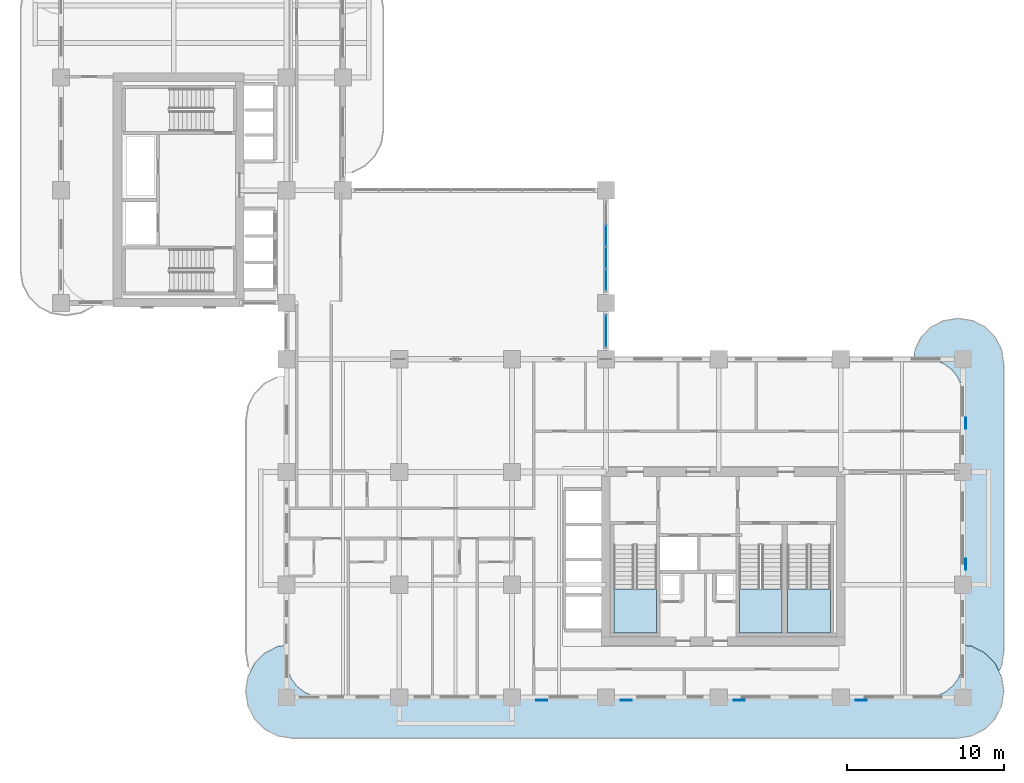
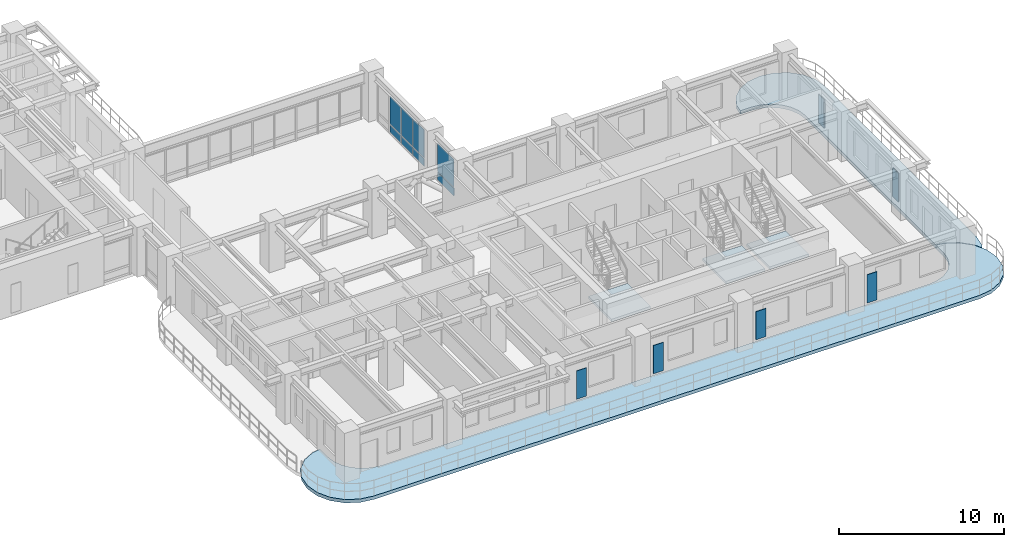
# One storey, part 9 of 21: 14 plates, 5 slabs, 5 elements without a shape of their own.
"""IFC4 building model written with IfcOpenShell, lengths in metres."""

from ifc_helpers import new_model, si_unit, derived_unit, direction, frame, origin, origin_2d, place, context, subcontext, project, spatial, polyline, rectangle, outline, extrude, source, transform, mapped, material, layer, layer_set, type_object, type_shapes, element, aggregate, save


model = new_model("IFC4")

# Units and contexts
model_context = context("Model", 3, precision=1e-05, world=origin(), true_north=direction((0.0, 1.0)))
body_context = subcontext(model_context, "Body", "Model", "MODEL_VIEW")
ifc_project = project(units=[si_unit("LENGTHUNIT", "METRE"), si_unit("AREAUNIT", "SQUARE_METRE"), si_unit("VOLUMEUNIT", "CUBIC_METRE"), si_unit("PLANEANGLEUNIT", "RADIAN"), si_unit("MASSUNIT", "GRAM", prefix="KILO"), si_unit("THERMODYNAMICTEMPERATUREUNIT", "KELVIN"), si_unit("POWERUNIT", "WATT"), derived_unit("THERMALTRANSMITTANCEUNIT", [(si_unit("POWERUNIT", "WATT"), 1), (si_unit("AREAUNIT", "SQUARE_METRE"), -1), (si_unit("THERMODYNAMICTEMPERATUREUNIT", "KELVIN"), -1)])], contexts=[model_context])

# Site, building, storey
site_placement = place(None, origin())
site = spatial("IfcSite", under=ifc_project, at=site_placement, CompositionType="ELEMENT")
building_placement = place(site_placement, origin())
building = spatial("IfcBuilding", under=site, at=building_placement, Name="Zahravan Archway Hotel and Residences", CompositionType="ELEMENT")
storey_placement = place(building_placement, frame((0.0, 0.0, 69.39990234375)))
storey = spatial("IfcBuildingStorey", under=building, at=storey_placement, Name="L16", CompositionType="ELEMENT", Elevation=69.39990234375)

# Slabs
ifc_material_1 = material(Name="Concrete C45/55", Category="concrete")
ifc_layer_1 = layer(ifc_material_1, 0.25, Name="Concrete C45/55", Category="concrete")
ifc_layer_set_1 = layer_set([ifc_layer_1], Name="Concrete C45/55")
slab_type_1 = type_object("IfcSlabType", Name="SLB-BALC-250", PredefinedType="FLOOR", material=ifc_layer_set_1)
slab_1_placement = place(storey_placement, frame((0.0, 0.0, -0.25)))
element("IfcSlab", 1, at=slab_1_placement, inside=storey, type_object=slab_type_1, Name="L16 Wing A South Rounded Balcony Band", PredefinedType="FLOOR", context=body_context, shape_type="SweptSolid", body=[
    extrude(outline(polyline([(58.16162109375, 3.255615234375), (58.98388671875, 2.836669921875), (59.63671875, 2.18408203125), (60.0556640625, 1.361572265625), (60.199951171875, 0.449951171875), (60.199951171875, 0.35009765625), (60.0556640625, -0.5615234375), (59.63671875, -1.384033203125), (58.98388671875, -2.03662109375), (58.16162109375, -2.45556640625), (57.25, -2.60009765625), (14.75, -2.60009765625), (13.83837890625, -2.45556640625), (13.01611328125, -2.03662109375), (12.36328125, -1.384033203125), (11.9443359375, -0.5615234375), (11.800048828125, 0.35009765625), (11.800048828125, 0.449951171875), (11.9443359375, 1.361572265625), (12.36328125, 2.18408203125), (13.01611328125, 2.836669921875), (13.83837890625, 3.255615234375), (14.3798828125, 3.34130859375), (14.3798828125, 2.39990234375), (14.380126953125, 2.3974609375), (14.4619140625, 1.776123046875), (14.46240234375, 1.7744140625), (14.462646484375, 1.772705078125), (14.46337890625, 1.77099609375), (14.702880859375, 1.1923828125), (14.703857421875, 1.19091796875), (14.70458984375, 1.189208984375), (14.70556640625, 1.187744140625), (15.0869140625, 0.690673828125), (15.088134765625, 0.689453125), (15.08935546875, 0.688232421875), (15.0908203125, 0.68701171875), (15.587890625, 0.3056640625), (15.58935546875, 0.3046875), (15.5908203125, 0.3037109375), (15.59228515625, 0.302978515625), (16.171142578125, 0.063232421875), (16.1728515625, 0.062744140625), (16.174560546875, 0.062255859375), (16.17626953125, 0.06201171875), (16.79736328125, -0.019775390625), (16.800048828125, -0.02001953125), (55.199951171875, -0.02001953125), (55.20263671875, -0.019775390625), (55.82373046875, 0.06201171875), (55.825439453125, 0.062255859375), (55.8271484375, 0.062744140625), (55.828857421875, 0.063232421875), (56.40771484375, 0.302978515625), (56.4091796875, 0.3037109375), (56.41064453125, 0.3046875), (56.412109375, 0.3056640625), (56.9091796875, 0.68701171875), (56.91064453125, 0.688232421875), (56.911865234375, 0.689453125), (56.9130859375, 0.690673828125), (57.29443359375, 1.187744140625), (57.29541015625, 1.189208984375), (57.296142578125, 1.19091796875), (57.297119140625, 1.1923828125), (57.53662109375, 1.77099609375), (57.537353515625, 1.772705078125), (57.53759765625, 1.7744140625), (57.5380859375, 1.776123046875), (57.619873046875, 2.3974609375), (57.6201171875, 2.39990234375), (57.6201171875, 3.34130859375), (58.16162109375, 3.255615234375)])), origin(), (0.0, 0.0, 1.0), 0.25),
])
slab_2_placement = place(storey_placement, frame((0.0, 0.0, -0.25)))
element("IfcSlab", 2, at=slab_2_placement, inside=storey, type_object=slab_type_1, Name="L16 Wing A East Rounded Balcony Band", PredefinedType="FLOOR", context=body_context, shape_type="SweptSolid", body=[
    extrude(outline(polyline([(54.53955078125, 22.230712890625), (54.9443359375, 23.025146484375), (55.57470703125, 23.65576171875), (56.369384765625, 24.060546875), (57.25, 24.199951171875), (57.35009765625, 24.199951171875), (58.230712890625, 24.060546875), (59.025146484375, 23.65576171875), (59.65576171875, 23.025146484375), (60.060546875, 22.230712890625), (60.199951171875, 21.35009765625), (60.199951171875, 2.85009765625), (60.060546875, 1.96923828125), (59.91455078125, 1.6826171875), (59.654296875, 2.193115234375), (59.6533203125, 2.19482421875), (59.652099609375, 2.196533203125), (59.650634765625, 2.197998046875), (58.998046875, 2.8505859375), (58.99658203125, 2.85205078125), (58.994873046875, 2.853515625), (58.9931640625, 2.8544921875), (58.170654296875, 3.2734375), (58.168701171875, 3.2744140625), (58.166748046875, 3.27490234375), (58.164794921875, 3.275390625), (57.623046875, 3.361083984375), (57.62109375, 3.361328125), (57.6201171875, 3.361328125), (57.6201171875, 19.199951171875), (57.619873046875, 19.20263671875), (57.5380859375, 19.82373046875), (57.53759765625, 19.825439453125), (57.537353515625, 19.8271484375), (57.53662109375, 19.828857421875), (57.297119140625, 20.40771484375), (57.296142578125, 20.4091796875), (57.29541015625, 20.41064453125), (57.29443359375, 20.412109375), (56.9130859375, 20.9091796875), (56.911865234375, 20.91064453125), (56.91064453125, 20.911865234375), (56.9091796875, 20.9130859375), (56.412109375, 21.29443359375), (56.41064453125, 21.29541015625), (56.4091796875, 21.296142578125), (56.40771484375, 21.297119140625), (55.828857421875, 21.53662109375), (55.8271484375, 21.537353515625), (55.825439453125, 21.53759765625), (55.82373046875, 21.5380859375), (55.20263671875, 21.619873046875), (55.199951171875, 21.6201171875), (54.44287109375, 21.6201171875), (54.53955078125, 22.230712890625)])), origin(), (0.0, 0.0, 1.0), 0.25),
])

# Stair, slab
ifc_material_2 = material(Name="Concrete C50/60", Category="concrete")
stair_type = type_object("IfcStairType", Name="STR-CORE-1300", PredefinedType="HALF_TURN_STAIR", material=ifc_material_2)
stair_1_placement = place(storey_placement, origin())
stair_1 = element("IfcStair", 3, at=stair_1_placement, inside=storey, type_object=stair_type, Name="L16 Core A Exit Stair 1", PredefinedType="HALF_TURN_STAIR")
ifc_layer_2 = layer(ifc_material_2, 0.199951171875, Name="Concrete C50/60", Category="concrete")
ifc_layer_set_2 = layer_set([ifc_layer_2], Name="Concrete C50/60")
slab_type_2 = type_object("IfcSlabType", Name="SLB-LND-200", PredefinedType="LANDING", material=ifc_layer_set_2)
slab_3_placement = place(storey_placement, frame((0.0, 0.0, 1.650146484375)))
slab_3 = element("IfcSlab", 4, at=slab_3_placement, type_object=slab_type_2, Name="ST-A1 landing 1", PredefinedType="LANDING", context=body_context, shape_type="SweptSolid", body=[
    extrude(outline(polyline([(35.300048828125, 6.929931640625), (35.300048828125, 4.10009765625), (38.0400390625, 4.10009765625), (38.0400390625, 6.929931640625), (35.300048828125, 6.929931640625)])), origin(), (0.0, 0.0, 1.0), 0.199951171875),
])
aggregate(stair_1, [slab_3])

stair_2_placement = place(storey_placement, origin())
stair_2 = element("IfcStair", 5, at=stair_2_placement, inside=storey, type_object=stair_type, Name="L16 Core A Exit Stair 2", PredefinedType="HALF_TURN_STAIR")
slab_4_placement = place(storey_placement, frame((0.0, 0.0, 1.650146484375)))
slab_4 = element("IfcSlab", 6, at=slab_4_placement, type_object=slab_type_2, Name="ST-A2 landing 1", PredefinedType="LANDING", context=body_context, shape_type="SweptSolid", body=[
    extrude(outline(polyline([(43.320068359375, 6.929931640625), (43.320068359375, 4.10009765625), (46.06005859375, 4.10009765625), (46.06005859375, 6.929931640625), (43.320068359375, 6.929931640625)])), origin(), (0.0, 0.0, 1.0), 0.199951171875),
])
aggregate(stair_2, [slab_4])

stair_3_placement = place(storey_placement, origin())
stair_3 = element("IfcStair", 7, at=stair_3_placement, inside=storey, type_object=stair_type, Name="L16 Core A Exit Stair 3", PredefinedType="HALF_TURN_STAIR")
slab_5_placement = place(storey_placement, frame((0.0, 0.0, 1.650146484375)))
slab_5 = element("IfcSlab", 8, at=slab_5_placement, type_object=slab_type_2, Name="ST-A3 landing 1", PredefinedType="LANDING", context=body_context, shape_type="SweptSolid", body=[
    extrude(outline(polyline([(46.39990234375, 6.929931640625), (46.39990234375, 4.10009765625), (49.139892578125, 4.10009765625), (49.139892578125, 6.929931640625), (46.39990234375, 6.929931640625)])), origin(), (0.0, 0.0, 1.0), 0.199951171875),
])
aggregate(stair_3, [slab_5])

# Plates
ifc_material_3 = material(Name="Perforated Cast Bronze Jali Lattice")
ifc_layer_3 = layer(ifc_material_3, 0.044921875, Name="Perforated Cast Bronze Jali Lattice")
ifc_layer_set_3 = layer_set([ifc_layer_3], Name="Perforated Cast Bronze Jali Lattice")
plate_type_1 = type_object("IfcPlateType", Name="PLT-JALI-BAY", PredefinedType="USERDEFINED", material=ifc_layer_set_3)
shared_shape_1 = source(origin(), body_context, "Body", "SweptSolid", [
    extrude(rectangle(XDim=0.699951171875, YDim=0.044921875, at=origin_2d()), origin(), (0.0, 0.0, 1.0), 2.10009765625),
])
type_shapes(plate_type_1, [shared_shape_1])
for number, where, z_axis, x_axis, name in (
    (9, (30.7080078125, -0.177978515625, 0.25), (0.0, 0.0, 1.0), (1.0, 0.0, 0.0), "L16 Perforated Bronze Jali Pier Screen 01"),
    (10, (36.10009765625, -0.177978515625, 0.25), (0.0, 0.0, 1.0), (1.0, 0.0, 0.0), "L16 Perforated Bronze Jali Pier Screen 02"),
    (11, (43.300048828125, -0.177978515625, 0.25), (0.0, 0.0, 1.0), (1.0, 0.0, 0.0), "L16 Perforated Bronze Jali Pier Screen 03"),
    (12, (51.10009765625, -0.177978515625, 0.25), (0.0, 0.0, 1.0), (1.0, 0.0, 0.0), "L16 Perforated Bronze Jali Pier Screen 04"),
    (13, (57.778076171875, 8.5, 0.25), (0.0, 0.0, 1.0), (0.0, 1.0, 0.0), "L16 Perforated Bronze Jali Pier Screen 05"),
    (14, (57.778076171875, 17.508056640625, 0.25), (0.0, 0.0, 1.0), (0.0, 1.0, 0.0), "L16 Perforated Bronze Jali Pier Screen 06"),
):
    element("IfcPlate", number, at=place(storey_placement, frame(where, z_axis=z_axis, x_axis=x_axis)), inside=storey, type_object=plate_type_1, Name=name, ObjectType="SCREEN", PredefinedType="USERDEFINED", context=body_context, shape_type="MappedRepresentation", body=[
        mapped(shared_shape_1, transform((0.0, 0.0, 0.0), scale=1.0)),
    ])

# Curtain wall, plates
ifc_material_4 = material(Name="Bronze-Anodized Unitised Aluminium & Low-E Glass", Category="aluminium")
ifc_layer_4 = layer(ifc_material_4, 0.179931640625, Name="Bronze-Anodized Unitised Aluminium & Low-E Glass", Category="aluminium")
ifc_layer_set_4 = layer_set([ifc_layer_4], Name="Bronze-Anodized Unitised Aluminium & Low-E Glass")
curtain_wall_type = type_object("IfcCurtainWallType", Name="CW-SBG-1", PredefinedType="NOTDEFINED", material=ifc_layer_set_4)
curtain_wall_1_placement = place(storey_placement, origin())
curtain_wall_1 = element("IfcCurtainWall", 15, at=curtain_wall_1_placement, inside=storey, type_object=curtain_wall_type, Name="L16 Curtain Wall CW-L16-HNG-E-2", PredefinedType="NOTDEFINED")
ifc_material_5 = material(Name="Insulated Terracotta Spandrel Panel", Category="masonry")
ifc_layer_5 = layer(ifc_material_5, 0.0400390625, Name="Insulated Terracotta Spandrel Panel", Category="masonry")
ifc_layer_set_5 = layer_set([ifc_layer_5], Name="Insulated Terracotta Spandrel Panel")
plate_type_2 = type_object("IfcPlateType", Name="CWP-SPN-40", PredefinedType="SHEET", material=ifc_layer_set_5)
shared_shape_2 = source(origin(), body_context, "Body", "SweptSolid", [
    extrude(rectangle(XDim=1.340087890625, YDim=0.0400390625, at=origin_2d()), origin(), (0.0, 0.0, 1.0), 0.552490234375),
])
plate_1_placement = place(storey_placement, frame((34.800048828125, 26.669921875, 0.10009765625), z_axis=(0.0, 0.0, 1.0), x_axis=(0.0, 1.0, 0.0)))
plate_1 = element("IfcPlate", 16, at=plate_1_placement, type_object=plate_type_2, Name="CW-L16-HNG-E-2 Spandrel Panel 0", PredefinedType="SHEET", context=body_context, shape_type="MappedRepresentation", body=[
    mapped(shared_shape_2, transform((0.0, 0.0, 0.0), scale=1.0)),
])
plate_2_placement = place(storey_placement, frame((34.800048828125, 28.090087890625, 0.10009765625), z_axis=(0.0, 0.0, 1.0), x_axis=(0.0, 1.0, 0.0)))
plate_2 = element("IfcPlate", 17, at=plate_2_placement, type_object=plate_type_2, Name="CW-L16-HNG-E-2 Spandrel Panel 1", PredefinedType="SHEET", context=body_context, shape_type="MappedRepresentation", body=[
    mapped(shared_shape_2, transform((0.0, 0.0, 0.0), scale=1.0)),
])
plate_3_placement = place(storey_placement, frame((34.800048828125, 29.510009765625, 0.10009765625), z_axis=(0.0, 0.0, 1.0), x_axis=(0.0, 1.0, 0.0)))
plate_3 = element("IfcPlate", 18, at=plate_3_placement, type_object=plate_type_2, Name="CW-L16-HNG-E-2 Spandrel Panel 2", PredefinedType="SHEET", context=body_context, shape_type="MappedRepresentation", body=[
    mapped(shared_shape_2, transform((0.0, 0.0, 0.0), scale=1.0)),
])
ifc_material_6 = material(Name="Double-Silver Low-E Insulated Vision Glass", Category="glass")
ifc_layer_6 = layer(ifc_material_6, 0.028076171875, Name="Double-Silver Low-E Insulated Vision Glass", Category="glass")
ifc_layer_set_6 = layer_set([ifc_layer_6], Name="Double-Silver Low-E Insulated Vision Glass")
plate_type_3 = type_object("IfcPlateType", Name="CWP-GLZ-28", PredefinedType="CURTAIN_PANEL", material=ifc_layer_set_6)
shared_shape_3 = source(origin(), body_context, "Body", "SweptSolid", [
    extrude(rectangle(XDim=1.340087890625, YDim=0.028076171875, at=origin_2d()), origin(), (0.0, 0.0, 1.0), 2.052490234375),
])
plate_4_placement = place(storey_placement, frame((34.800048828125, 26.669921875, 0.732421875), z_axis=(0.0, 0.0, 1.0), x_axis=(0.0, 1.0, 0.0)))
plate_4 = element("IfcPlate", 19, at=plate_4_placement, type_object=plate_type_3, Name="CW-L16-HNG-E-2 Low-E Vision Panel 0", PredefinedType="CURTAIN_PANEL", context=body_context, shape_type="MappedRepresentation", body=[
    mapped(shared_shape_3, transform((0.0, 0.0, 0.0), scale=1.0)),
])
plate_5_placement = place(storey_placement, frame((34.800048828125, 28.090087890625, 0.732421875), z_axis=(0.0, 0.0, 1.0), x_axis=(0.0, 1.0, 0.0)))
plate_5 = element("IfcPlate", 20, at=plate_5_placement, type_object=plate_type_3, Name="CW-L16-HNG-E-2 Low-E Vision Panel 1", PredefinedType="CURTAIN_PANEL", context=body_context, shape_type="MappedRepresentation", body=[
    mapped(shared_shape_3, transform((0.0, 0.0, 0.0), scale=1.0)),
])
plate_6_placement = place(storey_placement, frame((34.800048828125, 29.510009765625, 0.732421875), z_axis=(0.0, 0.0, 1.0), x_axis=(0.0, 1.0, 0.0)))
plate_6 = element("IfcPlate", 21, at=plate_6_placement, type_object=plate_type_3, Name="CW-L16-HNG-E-2 Low-E Vision Panel 2", PredefinedType="CURTAIN_PANEL", context=body_context, shape_type="MappedRepresentation", body=[
    mapped(shared_shape_3, transform((0.0, 0.0, 0.0), scale=1.0)),
])
aggregate(curtain_wall_1, [plate_1, plate_4, plate_2, plate_5, plate_3, plate_6])

curtain_wall_2_placement = place(storey_placement, origin())
curtain_wall_2 = element("IfcCurtainWall", 22, at=curtain_wall_2_placement, inside=storey, type_object=curtain_wall_type, Name="L16 Curtain Wall CW-L16-HNG-E-1", PredefinedType="NOTDEFINED")
shared_shape_4 = source(origin(), body_context, "Body", "SweptSolid", [
    extrude(rectangle(XDim=2.0, YDim=0.0400390625, at=origin_2d()), origin(), (0.0, 0.0, 1.0), 0.552490234375),
])
plate_7_placement = place(storey_placement, frame((34.800048828125, 23.39990234375, 0.10009765625), z_axis=(0.0, 0.0, 1.0), x_axis=(0.0, 1.0, 0.0)))
plate_7 = element("IfcPlate", 23, at=plate_7_placement, type_object=plate_type_2, Name="CW-L16-HNG-E-1 Spandrel Panel 0", PredefinedType="SHEET", context=body_context, shape_type="MappedRepresentation", body=[
    mapped(shared_shape_4, transform((0.0, 0.0, 0.0), scale=1.0)),
])
shared_shape_5 = source(origin(), body_context, "Body", "SweptSolid", [
    extrude(rectangle(XDim=2.0, YDim=0.028076171875, at=origin_2d()), origin(), (0.0, 0.0, 1.0), 2.052490234375),
])
plate_8_placement = place(storey_placement, frame((34.800048828125, 23.39990234375, 0.732421875), z_axis=(0.0, 0.0, 1.0), x_axis=(0.0, 1.0, 0.0)))
plate_8 = element("IfcPlate", 24, at=plate_8_placement, type_object=plate_type_3, Name="CW-L16-HNG-E-1 Low-E Vision Panel 0", PredefinedType="CURTAIN_PANEL", context=body_context, shape_type="MappedRepresentation", body=[
    mapped(shared_shape_5, transform((0.0, 0.0, 0.0), scale=1.0)),
])
aggregate(curtain_wall_2, [plate_7, plate_8])

save(model, "model.ifc")
